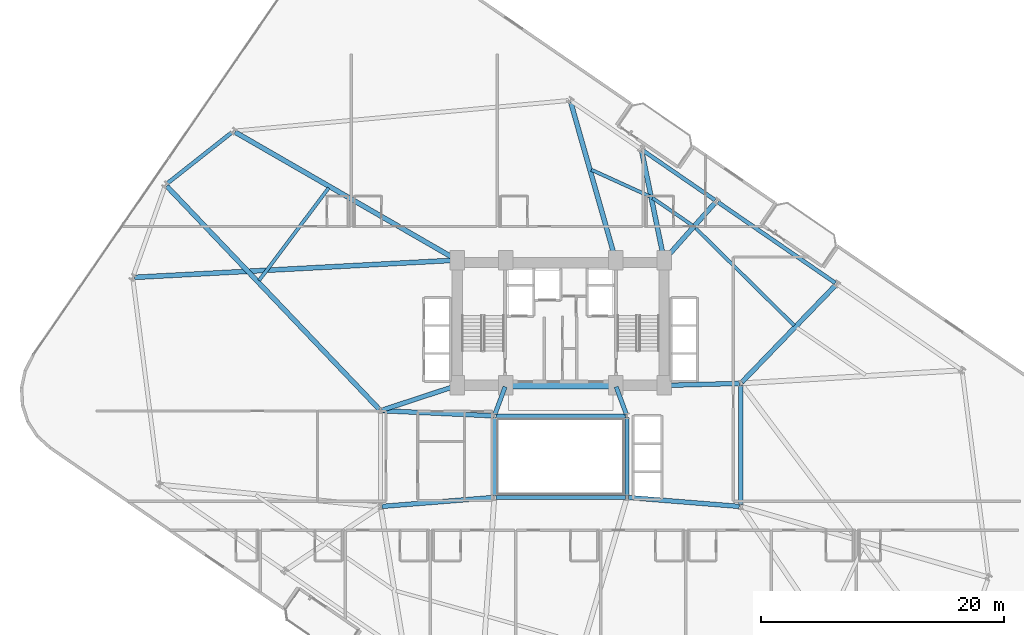
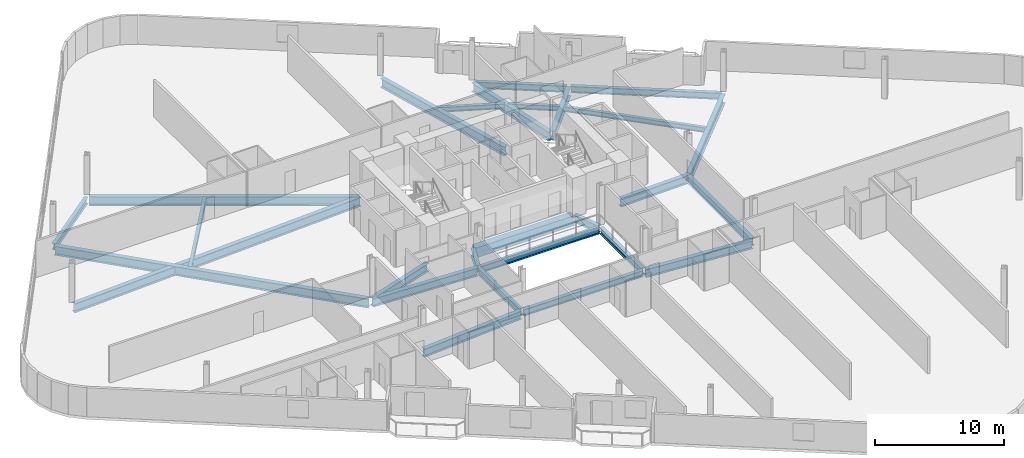
# One storey, part 5 of 25: 27 beams.
"""IFC4 building model written with IfcOpenShell, lengths in metres."""

from ifc_helpers import new_model, si_unit, direction, frame, origin, origin_2d, place, context, subcontext, project, spatial, rectangle, i_section, extrude, material, material_profile, profile_set, type_object, element, save


model = new_model("IFC4")

# Units and contexts
model_context = context("Model", 3, precision=1e-05, world=origin(), true_north=direction((0.0, 1.0)))
body_context = subcontext(model_context, "Body", "Model", "MODEL_VIEW")
ifc_project = project(units=[si_unit("LENGTHUNIT", "METRE"), si_unit("AREAUNIT", "SQUARE_METRE"), si_unit("VOLUMEUNIT", "CUBIC_METRE"), si_unit("PLANEANGLEUNIT", "RADIAN"), si_unit("MASSUNIT", "GRAM", prefix="KILO")], contexts=[model_context])

# Site, building, storey
site_placement = place(None, origin())
site = spatial("IfcSite", under=ifc_project, at=site_placement, CompositionType="ELEMENT")
building_placement = place(site_placement, origin())
building = spatial("IfcBuilding", under=site, at=building_placement, Name="Varnelok Gate Tower", CompositionType="ELEMENT")
storey_placement = place(building_placement, frame((0.0, 0.0, 52.89990234375)))
storey = spatial("IfcBuildingStorey", under=building, at=storey_placement, Name="L12", CompositionType="ELEMENT", Elevation=52.89990234375)

# Beams
ifc_material_1 = material(Name="Structural Steel ASTM A992 Grade 50", Category="steel")
ifc_material_profile_1 = material_profile(ifc_material_1, i_section(OverallWidth=0.280029296875, OverallDepth=0.462890625, WebThickness=0.0107421875, FlangeThickness=0.017333984375, FilletRadius=0.014892578125, at=origin_2d()), Name="W18X76")
ifc_profile_set_1 = profile_set([ifc_material_profile_1], Name="Structural Steel ASTM A992 Grade 50")
beam_type_1 = type_object("IfcBeamType", Name="BM-JST-W18X76", PredefinedType="JOIST", material=ifc_profile_set_1)
beam_1_placement = place(storey_placement, frame((58.3984375, 33.67431640625, -0.4814453125), z_axis=(-0.711626187223, 0.702558303387, 0.0), x_axis=(-0.702558303387, -0.711626187223, 0.0)))
element("IfcBeam", 1, at=beam_1_placement, inside=storey, type_object=beam_type_1, Name="L12 Sector Floor Joist 7", PredefinedType="JOIST", context=body_context, shape_type="SweptSolid", body=[
    extrude(i_section(OverallWidth=0.280029296875, OverallDepth=0.462890625, WebThickness=0.0107421875, FlangeThickness=0.017333984375, FilletRadius=0.014892578125, at=origin_2d()), origin(), (0.0, 0.0, 1.0), 11.442626953125),
])
beam_2_placement = place(storey_placement, frame((50.040771484375, 41.891357421875, -0.4814453125), z_axis=(-0.823549472774, 0.567244449858, 0.0), x_axis=(-0.567244449858, -0.823549472774, 0.0)))
element("IfcBeam", 2, at=beam_2_placement, inside=storey, type_object=beam_type_1, Name="L12 Sector Floor Joist 8", PredefinedType="JOIST", context=body_context, shape_type="SweptSolid", body=[
    extrude(i_section(OverallWidth=0.280029296875, OverallDepth=0.462890625, WebThickness=0.0107421875, FlangeThickness=0.017333984375, FilletRadius=0.014892578125, at=origin_2d()), origin(), (0.0, 0.0, 1.0), 3.994873046875),
])
beam_3_placement = place(storey_placement, frame((46.508056640625, 44.294921875, -0.4814453125), z_axis=(-0.910170936296, 0.414232865334, 0.0), x_axis=(-0.414232865334, -0.910170936296, 0.0)))
element("IfcBeam", 3, at=beam_3_placement, inside=storey, type_object=beam_type_1, Name="L12 Sector Floor Joist 9", PredefinedType="JOIST", context=body_context, shape_type="SweptSolid", body=[
    extrude(i_section(OverallWidth=0.280029296875, OverallDepth=0.462890625, WebThickness=0.0107421875, FlangeThickness=0.017333984375, FilletRadius=0.014892578125, at=origin_2d()), origin(), (0.0, 0.0, 1.0), 5.261962890625),
])
beam_4_placement = place(storey_placement, frame((20.136474609375, 44.978515625, -0.4814453125), z_axis=(-0.601172674718, -0.799119149547, 0.0), x_axis=(0.799119149547, -0.601172674718, 0.0)))
element("IfcBeam", 4, at=beam_4_placement, inside=storey, type_object=beam_type_1, Name="L12 Sector Floor Joist 10", PredefinedType="JOIST", context=body_context, shape_type="SweptSolid", body=[
    extrude(i_section(OverallWidth=0.280029296875, OverallDepth=0.462890625, WebThickness=0.0107421875, FlangeThickness=0.017333984375, FilletRadius=0.014892578125, at=origin_2d()), origin(), (0.0, 0.0, 1.0), 9.521484375),
])
ifc_material_2 = material(Name="Concrete C60/75", Category="concrete")
ifc_material_profile_2 = material_profile(ifc_material_2, rectangle(XDim=0.60009765625, YDim=0.949951171875, at=origin_2d()), Name="RC950X600")
ifc_profile_set_2 = profile_set([ifc_material_profile_2], Name="Concrete C60/75")
beam_type_2 = type_object("IfcBeamType", Name="BM-LNT-RC950", PredefinedType="LINTEL", material=ifc_profile_set_2)
beam_5_placement = place(storey_placement, frame((34.800048828125, 28.75, -0.724853515625), z_axis=(1.0, 0.0, 0.0), x_axis=(0.0, 1.0, 0.0)))
element("IfcBeam", 5, at=beam_5_placement, inside=storey, type_object=beam_type_2, Name="L12 Core-Atrium Spine Beam 7", PredefinedType="LINTEL", context=body_context, shape_type="SweptSolid", body=[
    extrude(rectangle(XDim=0.60009765625, YDim=0.949951171875, at=origin_2d()), origin(), (0.0, 0.0, 1.0), 8.800048828125),
])
ifc_material_profile_3 = material_profile(ifc_material_1, i_section(OverallWidth=0.35498046875, OverallDepth=0.696044921875, WebThickness=0.015380859375, FlangeThickness=0.02490234375, FilletRadius=0.02001953125, at=origin_2d()), Name="W27X146")
ifc_profile_set_3 = profile_set([ifc_material_profile_3], Name="Structural Steel ASTM A992 Grade 50")
beam_type_3 = type_object("IfcBeamType", Name="BM-PRI-W27X146", PredefinedType="BEAM", material=ifc_profile_set_3)
for number, where, z_axis, x_axis, name in (
    (6, (33.791748046875, 26.362548828125, -0.597900390625), (0.348719329408, 0.937227202602, 0.0), (-0.937227202602, 0.348719329408, 0.0), "L12 Core-Atrium Spine Beam 12"),
    (7, (44.608154296875, 26.362548828125, -0.597900390625), (-0.348719329408, 0.937227202602, 0.0), (-0.937227202602, -0.348719329408, 0.0), "L12 Core-Atrium Spine Beam 13"),
):
    element("IfcBeam", number, at=place(storey_placement, frame(where, z_axis=z_axis, x_axis=x_axis)), inside=storey, type_object=beam_type_3, Name=name, PredefinedType="BEAM", context=body_context, shape_type="SweptSolid", body=[
        extrude(i_section(OverallWidth=0.35498046875, OverallDepth=0.696044921875, WebThickness=0.015380859375, FlangeThickness=0.02490234375, FilletRadius=0.02001953125, at=origin_2d()), origin(), (0.0, 0.0, 1.0), 2.42724609375),
    ])
beam_6_placement = place(storey_placement, frame((54.0, 18.919921875, -0.597900390625), z_axis=(0.0, 1.0, 0.0), x_axis=(-1.0, 0.0, 0.0)))
element("IfcBeam", 8, at=beam_6_placement, inside=storey, type_object=beam_type_3, Name="L12 Core-Atrium Spine Beam 20", PredefinedType="BEAM", context=body_context, shape_type="SweptSolid", body=[
    extrude(i_section(OverallWidth=0.35498046875, OverallDepth=0.696044921875, WebThickness=0.015380859375, FlangeThickness=0.02490234375, FilletRadius=0.02001953125, at=origin_2d()), origin(), (0.0, 0.0, 1.0), 9.880126953125),
])
ifc_material_profile_4 = material_profile(ifc_material_1, i_section(OverallWidth=0.381103515625, OverallDepth=0.77294921875, WebThickness=0.0166015625, FlangeThickness=0.027099609375, FilletRadius=0.02197265625, at=origin_2d()), Name="W30X173")
ifc_profile_set_4 = profile_set([ifc_material_profile_4], Name="Structural Steel ASTM A992 Grade 50")
beam_type_4 = type_object("IfcBeamType", Name="BM-PRI-W30X173", PredefinedType="BEAM", material=ifc_profile_set_4)
beam_7_placement = place(storey_placement, frame((24.51953125, 18.8095703125, -0.636474609375), z_axis=(0.996799206292, 0.07994587128, 0.0), x_axis=(-0.07994587128, 0.996799206292, 0.0)))
element("IfcBeam", 9, at=beam_7_placement, inside=storey, type_object=beam_type_4, Name="L12 Core-Atrium Spine Beam 14", PredefinedType="BEAM", context=body_context, shape_type="SweptSolid", body=[
    extrude(i_section(OverallWidth=0.381103515625, OverallDepth=0.77294921875, WebThickness=0.0166015625, FlangeThickness=0.027099609375, FilletRadius=0.02197265625, at=origin_2d()), origin(), (0.0, 0.0, 1.0), 9.14013671875),
])
beam_8_placement = place(storey_placement, frame((24.52001953125, 26.674560546875, -0.636474609375), z_axis=(0.99894427814, -0.045938319209, 0.0), x_axis=(0.045938319209, 0.99894427814, 0.0)))
element("IfcBeam", 10, at=beam_8_placement, inside=storey, type_object=beam_type_4, Name="L12 Core-Atrium Spine Beam 15", PredefinedType="BEAM", context=body_context, shape_type="SweptSolid", body=[
    extrude(i_section(OverallWidth=0.381103515625, OverallDepth=0.77294921875, WebThickness=0.0166015625, FlangeThickness=0.027099609375, FilletRadius=0.02197265625, at=origin_2d()), origin(), (0.0, 0.0, 1.0), 9.11962890625),
])
beam_9_placement = place(storey_placement, frame((24.513916015625, 26.717529296875, -0.636474609375), z_axis=(0.950041943788, 0.312122259768, 0.0), x_axis=(-0.312122259768, 0.950041943788, 0.0)))
element("IfcBeam", 11, at=beam_9_placement, inside=storey, type_object=beam_type_4, Name="L12 Core-Atrium Spine Beam 17", PredefinedType="BEAM", context=body_context, shape_type="SweptSolid", body=[
    extrude(i_section(OverallWidth=0.381103515625, OverallDepth=0.77294921875, WebThickness=0.0166015625, FlangeThickness=0.027099609375, FilletRadius=0.02197265625, at=origin_2d()), origin(), (0.0, 0.0, 1.0), 6.391357421875),
])
beam_10_placement = place(storey_placement, frame((44.76953125, 19.540283203125, -0.636474609375), z_axis=(0.996799206292, -0.07994587128, 0.0), x_axis=(0.07994587128, 0.996799206292, 0.0)))
element("IfcBeam", 12, at=beam_10_placement, inside=storey, type_object=beam_type_4, Name="L12 Core-Atrium Spine Beam 18", PredefinedType="BEAM", context=body_context, shape_type="SweptSolid", body=[
    extrude(i_section(OverallWidth=0.381103515625, OverallDepth=0.77294921875, WebThickness=0.0166015625, FlangeThickness=0.027099609375, FilletRadius=0.02197265625, at=origin_2d()), origin(), (0.0, 0.0, 1.0), 9.14013671875),
])
beam_11_placement = place(storey_placement, frame((47.820068359375, 28.753173828125, -0.636474609375), z_axis=(0.999635880609, 0.026983443053, 0.0), x_axis=(-0.026983443053, 0.999635880609, 0.0)))
element("IfcBeam", 13, at=beam_11_placement, inside=storey, type_object=beam_type_4, Name="L12 Core-Atrium Spine Beam 19", PredefinedType="BEAM", context=body_context, shape_type="SweptSolid", body=[
    extrude(i_section(OverallWidth=0.381103515625, OverallDepth=0.77294921875, WebThickness=0.0166015625, FlangeThickness=0.027099609375, FilletRadius=0.02197265625, at=origin_2d()), origin(), (0.0, 0.0, 1.0), 6.06201171875),
])
ifc_material_profile_5 = material_profile(ifc_material_1, i_section(OverallWidth=0.39892578125, OverallDepth=0.85498046875, WebThickness=0.018310546875, FlangeThickness=0.029296875, FilletRadius=0.02392578125, at=origin_2d()), Name="W33X201")
ifc_profile_set_5 = profile_set([ifc_material_profile_5], Name="Structural Steel ASTM A992 Grade 50")
beam_type_5 = type_object("IfcBeamType", Name="BM-PRI-W33X201", PredefinedType="BEAM", material=ifc_profile_set_5)
beam_12_placement = place(storey_placement, frame((54.104248046875, 29.02783203125, -0.677490234375), z_axis=(0.694813956558, 0.719189520066, 0.0), x_axis=(-0.719189520066, 0.694813956558, 0.0)))
element("IfcBeam", 14, at=beam_12_placement, inside=storey, type_object=beam_type_5, Name="L12 Radial Floor Girder 10", PredefinedType="BEAM", context=body_context, shape_type="SweptSolid", body=[
    extrude(i_section(OverallWidth=0.39892578125, OverallDepth=0.85498046875, WebThickness=0.018310546875, FlangeThickness=0.029296875, FilletRadius=0.02392578125, at=origin_2d()), origin(), (0.0, 0.0, 1.0), 11.057373046875),
])
beam_13_placement = place(storey_placement, frame((47.7998046875, 39.162109375, -0.677490234375), z_axis=(0.664520653518, 0.747269898395, 0.0), x_axis=(-0.747269898395, 0.664520653518, 0.0)))
element("IfcBeam", 15, at=beam_13_placement, inside=storey, type_object=beam_type_5, Name="L12 Radial Floor Girder 11", PredefinedType="BEAM", context=body_context, shape_type="SweptSolid", body=[
    extrude(i_section(OverallWidth=0.39892578125, OverallDepth=0.85498046875, WebThickness=0.018310546875, FlangeThickness=0.029296875, FilletRadius=0.02392578125, at=origin_2d()), origin(), (0.0, 0.0, 1.0), 6.18408203125),
])
beam_14_placement = place(storey_placement, frame((47.669921875, 39.197021484375, -0.677490234375), z_axis=(-0.201054404261, 0.979580076628, 0.0), x_axis=(-0.979580076628, -0.201054404261, 0.0)))
element("IfcBeam", 16, at=beam_14_placement, inside=storey, type_object=beam_type_5, Name="L12 Radial Floor Girder 12", PredefinedType="BEAM", context=body_context, shape_type="SweptSolid", body=[
    extrude(i_section(OverallWidth=0.39892578125, OverallDepth=0.85498046875, WebThickness=0.018310546875, FlangeThickness=0.029296875, FilletRadius=0.02392578125, at=origin_2d()), origin(), (0.0, 0.0, 1.0), 8.989501953125),
])
beam_15_placement = place(storey_placement, frame((43.678955078125, 39.1943359375, -0.677490234375), z_axis=(-0.273636323057, 0.961833230193, 0.0), x_axis=(-0.961833230193, -0.273636323057, 0.0)))
element("IfcBeam", 17, at=beam_15_placement, inside=storey, type_object=beam_type_5, Name="L12 Radial Floor Girder 13", PredefinedType="BEAM", context=body_context, shape_type="SweptSolid", body=[
    extrude(i_section(OverallWidth=0.39892578125, OverallDepth=0.85498046875, WebThickness=0.018310546875, FlangeThickness=0.029296875, FilletRadius=0.02392578125, at=origin_2d()), origin(), (0.0, 0.0, 1.0), 13.348388671875),
])
beam_16_placement = place(storey_placement, frame((30.570068359375, 39.125, -0.677490234375), z_axis=(-0.866373398512, 0.499396770465, 0.0), x_axis=(-0.499396770465, -0.866373398512, 0.0)))
element("IfcBeam", 18, at=beam_16_placement, inside=storey, type_object=beam_type_5, Name="L12 Radial Floor Girder 14", PredefinedType="BEAM", context=body_context, shape_type="SweptSolid", body=[
    extrude(i_section(OverallWidth=0.39892578125, OverallDepth=0.85498046875, WebThickness=0.018310546875, FlangeThickness=0.029296875, FilletRadius=0.02392578125, at=origin_2d()), origin(), (0.0, 0.0, 1.0), 20.920166015625),
])
beam_17_placement = place(storey_placement, frame((24.296630859375, 26.78857421875, -0.677490234375), z_axis=(-0.68957548794, 0.72421381265, 0.0), x_axis=(-0.72421381265, -0.68957548794, 0.0)))
element("IfcBeam", 19, at=beam_17_placement, inside=storey, type_object=beam_type_5, Name="L12 Radial Floor Girder 15", PredefinedType="BEAM", context=body_context, shape_type="SweptSolid", body=[
    extrude(i_section(OverallWidth=0.39892578125, OverallDepth=0.85498046875, WebThickness=0.018310546875, FlangeThickness=0.029296875, FilletRadius=0.02392578125, at=origin_2d()), origin(), (0.0, 0.0, 1.0), 25.324462890625),
])
beam_18_placement = place(storey_placement, frame((30.55029296875, 39.0419921875, -0.677490234375), z_axis=(-0.998572952572, -0.053404666383, 0.0), x_axis=(0.053404666383, -0.998572952572, 0.0)))
element("IfcBeam", 20, at=beam_18_placement, inside=storey, type_object=beam_type_5, Name="L12 Radial Floor Girder 16", PredefinedType="BEAM", context=body_context, shape_type="SweptSolid", body=[
    extrude(i_section(OverallWidth=0.39892578125, OverallDepth=0.85498046875, WebThickness=0.018310546875, FlangeThickness=0.029296875, FilletRadius=0.02392578125, at=origin_2d()), origin(), (0.0, 0.0, 1.0), 26.405029296875),
])
ifc_material_profile_6 = material_profile(ifc_material_1, i_section(OverallWidth=0.323974609375, OverallDepth=0.611083984375, WebThickness=0.0126953125, FlangeThickness=0.01904296875, FilletRadius=0.01806640625, at=origin_2d()), Name="W24X104")
ifc_profile_set_6 = profile_set([ifc_material_profile_6], Name="Structural Steel ASTM A992 Grade 50")
beam_type_6 = type_object("IfcBeamType", Name="BM-SPN-W24X104", PredefinedType="SPANDREL", material=ifc_profile_set_6)
for number, where, z_axis, x_axis, name in (
    (21, (33.8701171875, 19.550048828125, -0.555419921875), (1.0, 0.0, 0.0), (0.0, 1.0, 0.0), "L12 Core-Atrium Spine Beam 8"),
    (22, (33.8701171875, 26.25, -0.555419921875), (1.0, 0.0, 0.0), (0.0, 1.0, 0.0), "L12 Core-Atrium Spine Beam 9"),
):
    element("IfcBeam", number, at=place(storey_placement, frame(where, z_axis=z_axis, x_axis=x_axis)), inside=storey, type_object=beam_type_6, Name=name, PredefinedType="SPANDREL", context=body_context, shape_type="SweptSolid", body=[
        extrude(i_section(OverallWidth=0.323974609375, OverallDepth=0.611083984375, WebThickness=0.0126953125, FlangeThickness=0.01904296875, FilletRadius=0.01806640625, at=origin_2d()), origin(), (0.0, 0.0, 1.0), 10.659912109375),
    ])
for number, where, z_axis, x_axis, name in (
    (23, (33.75, 19.669921875, -0.555419921875), (0.0, 1.0, 0.0), (-1.0, 0.0, 0.0), "L12 Core-Atrium Spine Beam 10"),
    (24, (44.64990234375, 19.669921875, -0.555419921875), (0.0, 1.0, 0.0), (-1.0, 0.0, 0.0), "L12 Core-Atrium Spine Beam 11"),
):
    element("IfcBeam", number, at=place(storey_placement, frame(where, z_axis=z_axis, x_axis=x_axis)), inside=storey, type_object=beam_type_6, Name=name, PredefinedType="SPANDREL", context=body_context, shape_type="SweptSolid", body=[
        extrude(i_section(OverallWidth=0.323974609375, OverallDepth=0.611083984375, WebThickness=0.0126953125, FlangeThickness=0.01904296875, FilletRadius=0.01806640625, at=origin_2d()), origin(), (0.0, 0.0, 1.0), 6.4599609375),
    ])
beam_19_placement = place(storey_placement, frame((61.767822265625, 37.173095703125, -0.555419921875), z_axis=(-0.82353077968, 0.567271588324, 0.0), x_axis=(-0.567271588324, -0.82353077968, 0.0)))
element("IfcBeam", 25, at=beam_19_placement, inside=storey, type_object=beam_type_6, Name="L12 Perimeter Spandrel Beam 10", PredefinedType="SPANDREL", context=body_context, shape_type="SweptSolid", body=[
    extrude(i_section(OverallWidth=0.323974609375, OverallDepth=0.611083984375, WebThickness=0.0126953125, FlangeThickness=0.01904296875, FilletRadius=0.01806640625, at=origin_2d()), origin(), (0.0, 0.0, 1.0), 11.7001953125),
])
beam_20_placement = place(storey_placement, frame((51.885498046875, 43.98046875, -0.555419921875), z_axis=(-0.823550897395, 0.567242381527, 0.0), x_axis=(-0.567242381527, -0.823550897395, 0.0)))
element("IfcBeam", 26, at=beam_20_placement, inside=storey, type_object=beam_type_6, Name="L12 Perimeter Spandrel Beam 11", PredefinedType="SPANDREL", context=body_context, shape_type="SweptSolid", body=[
    extrude(i_section(OverallWidth=0.323974609375, OverallDepth=0.611083984375, WebThickness=0.0126953125, FlangeThickness=0.01904296875, FilletRadius=0.01806640625, at=origin_2d()), origin(), (0.0, 0.0, 1.0), 7.2001953125),
])
beam_21_placement = place(storey_placement, frame((12.197509765625, 49.554443359375, -0.555419921875), z_axis=(-0.784860761341, -0.619672159538, 0.0), x_axis=(0.619672159538, -0.784860761341, 0.0)))
element("IfcBeam", 27, at=beam_21_placement, inside=storey, type_object=beam_type_6, Name="L12 Perimeter Spandrel Beam 14", PredefinedType="SPANDREL", context=body_context, shape_type="SweptSolid", body=[
    extrude(i_section(OverallWidth=0.323974609375, OverallDepth=0.611083984375, WebThickness=0.0126953125, FlangeThickness=0.01904296875, FilletRadius=0.01806640625, at=origin_2d()), origin(), (0.0, 0.0, 1.0), 6.81640625),
])

save(model, "model.ifc")
